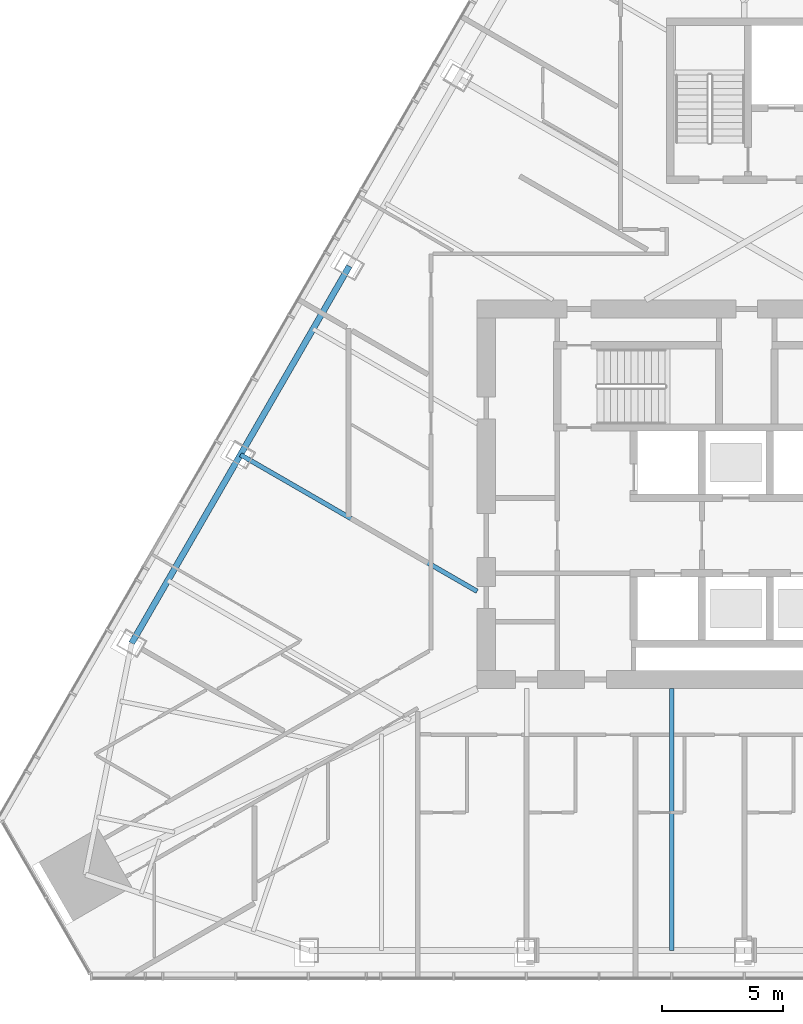
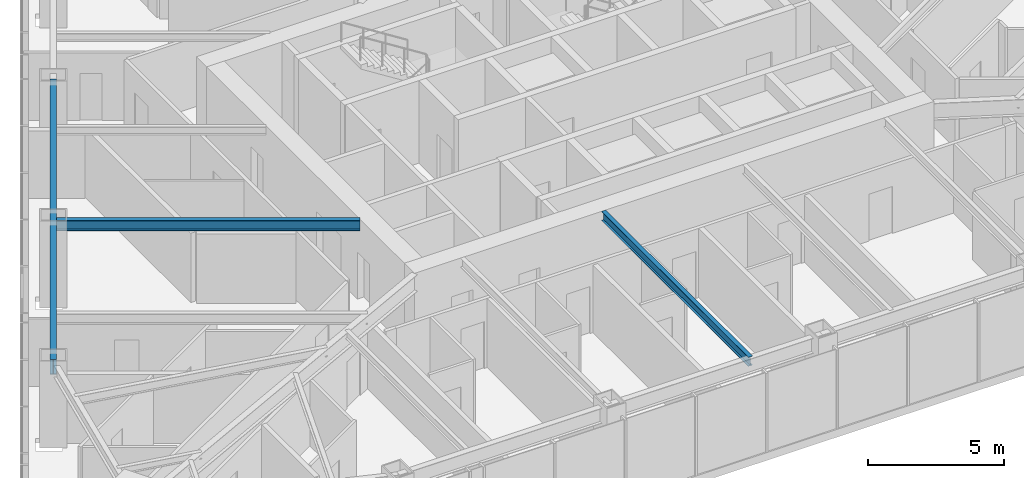
# One storey, part 4 of 21: 3 beams.
"""IFC4 building model written with IfcOpenShell, lengths in metres."""

from ifc_helpers import new_model, si_unit, direction, frame, origin, origin_2d, place, context, subcontext, project, spatial, i_section, extrude, material, material_profile, profile_set, type_object, element, save


model = new_model("IFC4")

# Units and contexts
model_context = context("Model", 3, precision=1e-05, world=origin(), true_north=direction((0.0, 1.0)))
body_context = subcontext(model_context, "Body", "Model", "MODEL_VIEW")
ifc_project = project(units=[si_unit("LENGTHUNIT", "METRE"), si_unit("AREAUNIT", "SQUARE_METRE"), si_unit("VOLUMEUNIT", "CUBIC_METRE"), si_unit("PLANEANGLEUNIT", "RADIAN"), si_unit("MASSUNIT", "GRAM", prefix="KILO")], contexts=[model_context])

# Site, building, storey
site_placement = place(None, origin())
site = spatial("IfcSite", under=ifc_project, at=site_placement, CompositionType="ELEMENT")
building_placement = place(site_placement, origin())
building = spatial("IfcBuilding", under=site, at=building_placement, Name="Firuza Gate Tower and Library", CompositionType="ELEMENT")
storey_placement = place(building_placement, frame((0.0, 0.0, 167.5)))
storey = spatial("IfcBuildingStorey", under=building, at=storey_placement, Name="L38", CompositionType="ELEMENT", Elevation=167.5)

# Beams
ifc_material_1 = material(Name="Steel S355", Category="steel")
ifc_material_profile_1 = material_profile(ifc_material_1, i_section(OverallWidth=0.177978515625, OverallDepth=0.406982421875, WebThickness=0.0078125, FlangeThickness=0.0126953125, at=origin_2d()))
ifc_profile_set_1 = profile_set([ifc_material_profile_1], Name="Steel S355")
beam_type_1 = type_object("IfcBeamType", Name="W410x60 Floor beam", PredefinedType="JOIST", material=ifc_profile_set_1)
beam_1_placement = place(storey_placement, frame((72.0126953125, 56.220458984375, 3.49658203125), z_axis=(0.0, 1.0, 0.0), x_axis=(-1.0, 0.0, 0.0)))
element("IfcBeam", 1, at=beam_1_placement, inside=storey, type_object=beam_type_1, Name="Floor beam L38 s22", PredefinedType="JOIST", context=body_context, shape_type="SweptSolid", body=[
    extrude(i_section(OverallWidth=0.177978515625, OverallDepth=0.406982421875, WebThickness=0.0078125, FlangeThickness=0.0126953125, at=origin_2d()), origin(), (0.0, 0.0, 1.0), 10.779541015625),
])
ifc_material_2 = material(Name="Steel S355", Category="steel")
ifc_material_profile_2 = material_profile(ifc_material_2, i_section(OverallWidth=0.18994140625, OverallDepth=0.45703125, WebThickness=0.009033203125, FlangeThickness=0.014404296875, at=origin_2d()))
ifc_profile_set_2 = profile_set([ifc_material_profile_2], Name="Steel S355")
beam_type_2 = type_object("IfcBeamType", Name="W460x74 Floor beam", PredefinedType="JOIST", material=ifc_profile_set_2)
beam_2_placement = place(storey_placement, frame((54.255615234375, 76.62841796875, 3.471435546875), z_axis=(0.866023348946, -0.500003559068, 0.0), x_axis=(0.500003559068, 0.866023348946, 0.0)))
element("IfcBeam", 2, at=beam_2_placement, inside=storey, type_object=beam_type_2, Name="Floor beam L38 s84", PredefinedType="JOIST", context=body_context, shape_type="SweptSolid", body=[
    extrude(i_section(OverallWidth=0.18994140625, OverallDepth=0.45703125, WebThickness=0.009033203125, FlangeThickness=0.014404296875, at=origin_2d()), origin(), (0.0, 0.0, 1.0), 11.251953125),
])
ifc_material_3 = material(Name="Steel S355", Category="steel")
ifc_material_profile_3 = material_profile(ifc_material_3, i_section(OverallWidth=0.2529296875, OverallDepth=0.677978515625, WebThickness=0.01171875, FlangeThickness=0.016357421875, at=origin_2d()))
ifc_profile_set_3 = profile_set([ifc_material_profile_3], Name="Steel S355")
beam_type_3 = type_object("IfcBeamType", Name="W690x125 Edge beam", PredefinedType="SPANDREL", material=ifc_profile_set_3)
beam_3_placement = place(storey_placement, frame((58.736572265625, 84.3896484375, 3.361083984375), z_axis=(-0.500000713928, -0.866024991597, 0.0), x_axis=(0.866024991597, -0.500000713928, 0.0)))
element("IfcBeam", 3, at=beam_3_placement, inside=storey, type_object=beam_type_3, Name="Edge beam L38 e82", PredefinedType="SPANDREL", context=body_context, shape_type="SweptSolid", body=[
    extrude(i_section(OverallWidth=0.2529296875, OverallDepth=0.677978515625, WebThickness=0.01171875, FlangeThickness=0.016357421875, at=origin_2d()), origin(), (0.0, 0.0, 1.0), 17.923828125),
])

save(model, "model.ifc")
